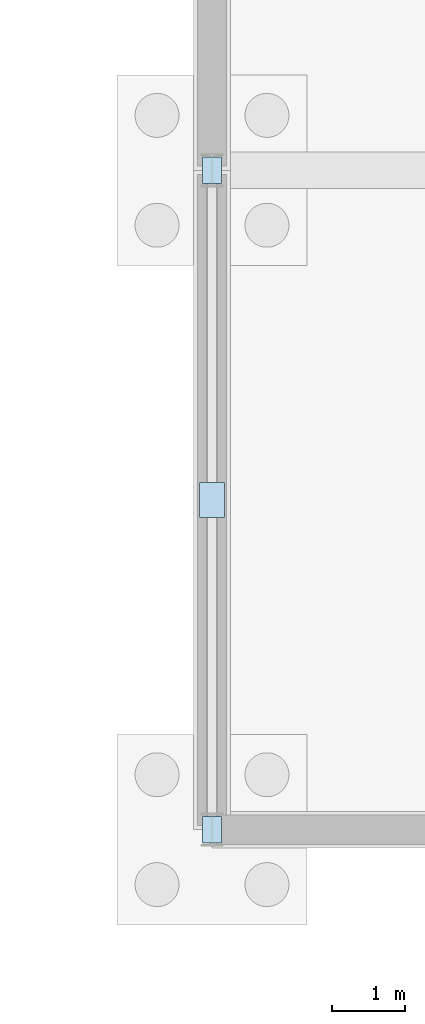
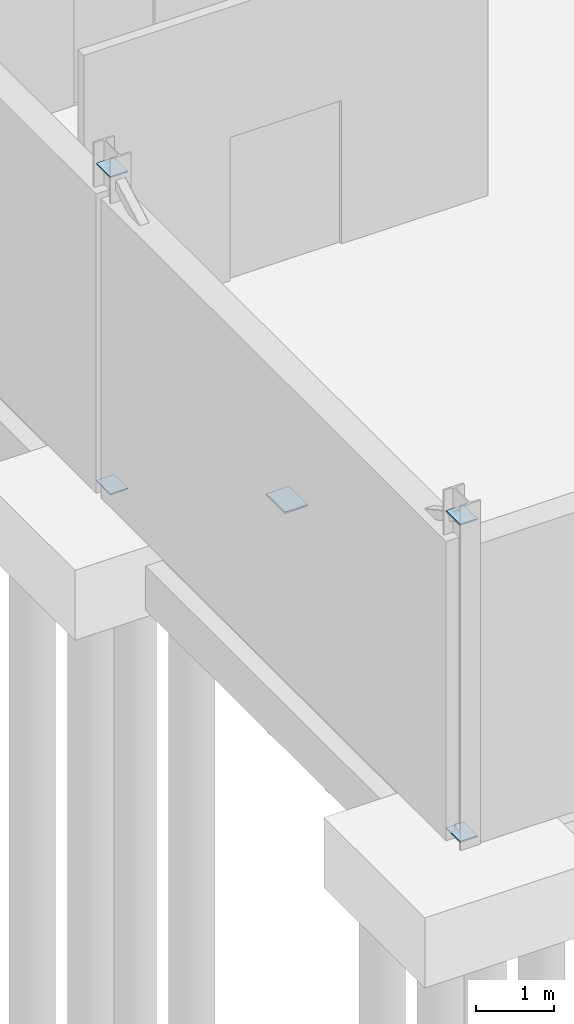
# One storey, part 81 of 118: 5 plates.
"""IFC4 building model written with IfcOpenShell, lengths in metres."""

from ifc_helpers import new_model, si_unit, direction, frame, origin, origin_2d, place, context, subcontext, project, spatial, rectangle, extrude, material, layer, layer_set, type_object, element, save


model = new_model("IFC4")

# Units and contexts
model_context = context("Model", 3, precision=1e-05, world=origin(), true_north=direction((0.0, 1.0)))
body_context = subcontext(model_context, "Body", "Model", "MODEL_VIEW")
ifc_project = project(units=[si_unit("LENGTHUNIT", "METRE"), si_unit("AREAUNIT", "SQUARE_METRE"), si_unit("VOLUMEUNIT", "CUBIC_METRE"), si_unit("PLANEANGLEUNIT", "RADIAN"), si_unit("MASSUNIT", "GRAM", prefix="KILO")], contexts=[model_context])

# Site, building, storey
site_placement = place(None, origin())
site = spatial("IfcSite", under=ifc_project, at=site_placement, CompositionType="ELEMENT")
building_placement = place(site_placement, origin())
building = spatial("IfcBuilding", under=site, at=building_placement, Name="Kildeholm Park Wholesale Market", CompositionType="ELEMENT")
storey_placement = place(building_placement, origin())
storey = spatial("IfcBuildingStorey", under=building, at=storey_placement, Name="L00", CompositionType="ELEMENT", Elevation=0.0)

# Plates
ifc_material = material(Name="Steel S355", Category="steel")
ifc_layer_1 = layer(ifc_material, 0.02001953125)
ifc_layer_set_1 = layer_set([ifc_layer_1], Name="Steel S355")
plate_type_1 = type_object("IfcPlateType", Name="Steel connection plate EP-01 360x260x20", PredefinedType="SHEET", material=ifc_layer_set_1)
for number, where, z_axis, x_axis, name in (
    (1, (126.0, 0.0, 0.090087890625), (0.0, 0.0, 1.0), (0.0, 1.0, 0.0), "Brace end connection plate BR-V5E-L00-1 PLT-0158"),
    (2, (126.0, 9.0, 5.070068359375), (0.0, 0.0, 1.0), (0.0, 1.0, 0.0), "Brace end connection plate BR-V5E-L00-2 PLT-0159"),
    (3, (126.0, 9.0, 0.090087890625), (0.0, 0.0, 1.0), (0.0, 1.0, 0.0), "Brace end connection plate BR-V5E-L00-3 PLT-0160"),
    (4, (126.0, 0.0, 5.070068359375), (0.0, 0.0, 1.0), (0.0, 1.0, 0.0), "Brace end connection plate BR-V5E-L00-4 PLT-0161"),
):
    element("IfcPlate", number, at=place(storey_placement, frame(where, z_axis=z_axis, x_axis=x_axis)), inside=storey, type_object=plate_type_1, Name=name, PredefinedType="SHEET", context=body_context, shape_type="SweptSolid", body=[
        extrude(rectangle(XDim=0.360107421875, YDim=0.260009765625, at=origin_2d()), origin(), (0.0, 0.0, 1.0), 0.02001953125),
    ])
ifc_layer_2 = layer(ifc_material, 0.02587890625)
ifc_layer_set_2 = layer_set([ifc_layer_2], Name="Steel S355")
plate_type_2 = type_object("IfcPlateType", Name="Steel connection plate GP-02 480x340x26", PredefinedType="SHEET", material=ifc_layer_set_2)
plate_placement = place(storey_placement, frame((126.0, 4.5, 2.5771484375), z_axis=(0.0, 0.0, 1.0), x_axis=(0.0, 1.0, 0.0)))
element("IfcPlate", 5, at=plate_placement, inside=storey, type_object=plate_type_2, Name="X-brace crossing gusset plate BR-V5E-L00 PLT-0157", PredefinedType="SHEET", context=body_context, shape_type="SweptSolid", body=[
    extrude(rectangle(XDim=0.47998046875, YDim=0.340087890625, at=origin_2d()), origin(), (0.0, 0.0, 1.0), 0.02587890625),
])

save(model, "model.ifc")
